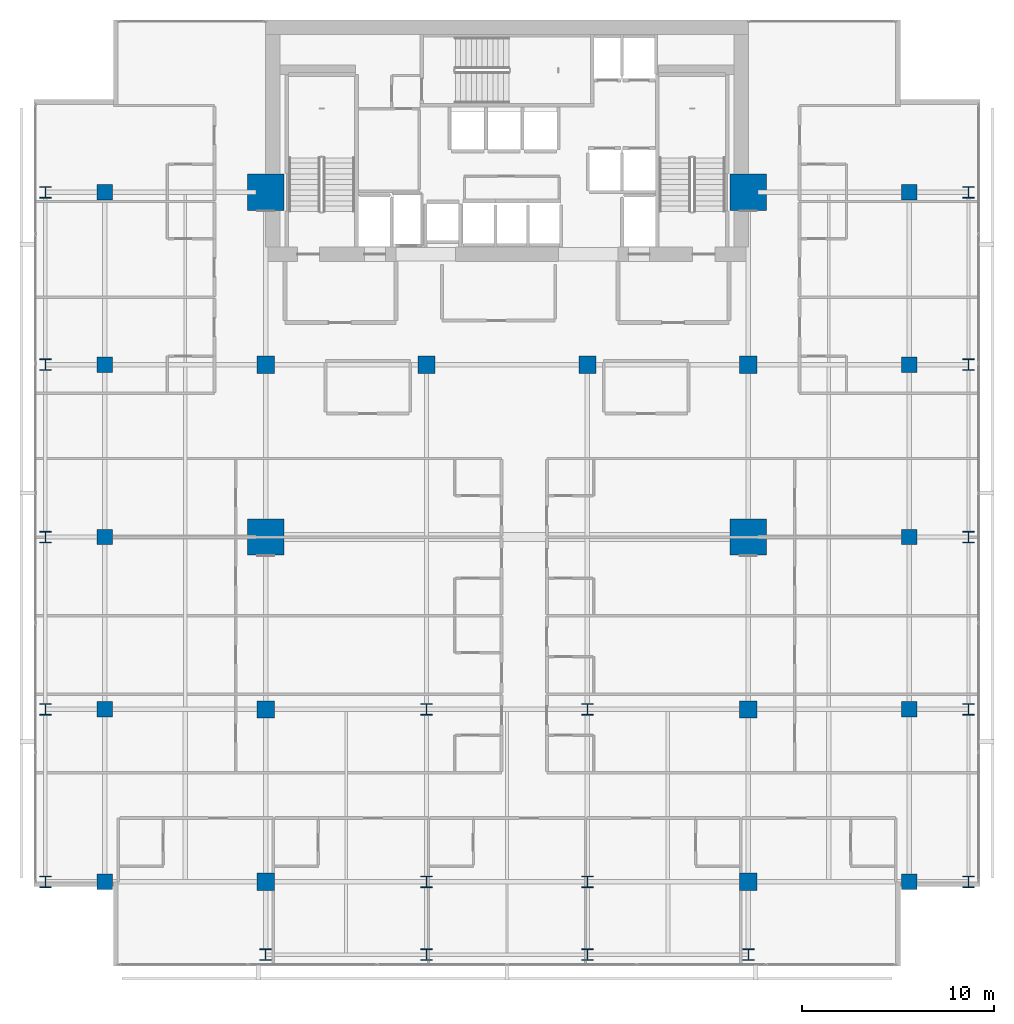
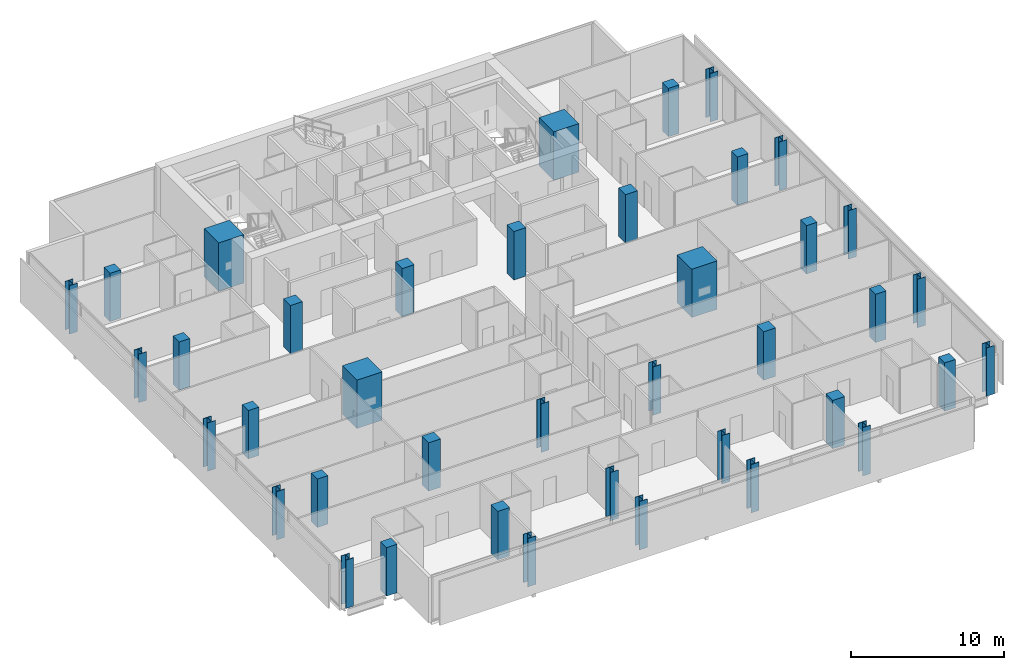
# One storey, part 1 of 34: 40 columns.
"""IFC4 building model written with IfcOpenShell, lengths in metres."""

import ifcopenshell
import ifcopenshell.guid

model = None  # the IFC model being written
_history = None  # IfcOwnerHistory: only IFC2X3 demands one
_inside = {}  # id of a spatial element -> (the spatial element, [elements in it])
_under = {}  # id of a project, library or spatial element -> (it, [spatial elements below it])
_declared = {}  # id of a project -> (the project, [libraries it declares])
_typed = {}  # id of a type object -> (the type object, [elements of that type])
_made_of = {}  # id of a material, layer set ... -> (it, [elements and type objects made of it])


def new_model(schema):
    """Start an empty IFC model of exactly this schema.

    Asked for "IFC4X3", IfcOpenShell would pick the latest addendum, in which some entities
    have other attributes; the version numbers below select the first issue.
    IFC2X3 requires an IfcOwnerHistory on every rooted entity: one is made here for all.
    """
    global model, _history
    if schema == "IFC4X3":
        model = ifcopenshell.file(schema_version=(4, 3, 0, 0))
    else:
        model = ifcopenshell.file(schema=schema)
    _inside.clear()
    _under.clear()
    _declared.clear()
    _typed.clear()
    _made_of.clear()
    _history = None
    if model.schema == "IFC2X3":
        org = make("IfcOrganization", Name="unknown")
        user = make(
            "IfcPersonAndOrganization",
            ThePerson=make("IfcPerson", FamilyName="unknown"),
            TheOrganization=org,
        )
        app = make(
            "IfcApplication",
            ApplicationDeveloper=org,
            Version="unknown",
            ApplicationFullName="unknown",
            ApplicationIdentifier="unknown",
        )
        _history = make(
            "IfcOwnerHistory",
            OwningUser=user,
            OwningApplication=app,
            ChangeAction="ADDED",
            CreationDate=0,
        )
    return model


def make(cls, **values):
    """One entity of the class cls with the attributes given. An attribute that is None is left unset."""
    return model.create_entity(
        cls, **{name: value for name, value in values.items() if value is not None}
    )


def rooted(cls, **values):
    """An entity with a GlobalId (a new one), such as an element, a storey or a relation."""
    return make(cls, GlobalId=ifcopenshell.guid.new(), OwnerHistory=_history, **values)


def si_unit(unit_type, name, prefix=None):
    """IfcSIUnit, for example si_unit("LENGTHUNIT", "METRE", prefix="MILLI")."""
    return make("IfcSIUnit", UnitType=unit_type, Prefix=prefix, Name=name)


def assignment(units):
    """IfcUnitAssignment: the units of a project."""
    return None if units is None else make("IfcUnitAssignment", Units=units)


def point(xyz):
    """IfcCartesianPoint."""
    return None if xyz is None else make("IfcCartesianPoint", Coordinates=xyz)


def direction(xyz):
    """IfcDirection."""
    return None if xyz is None else make("IfcDirection", DirectionRatios=xyz)


def frame(location, z_axis=None, x_axis=None):
    """IfcAxis2Placement3D, a coordinate frame: its origin and axes. An axis left out is left unset."""
    return make(
        "IfcAxis2Placement3D",
        Location=point(location),
        Axis=direction(z_axis),
        RefDirection=direction(x_axis),
    )


def frame_2d(location, x_axis=None):
    """IfcAxis2Placement2D, a coordinate frame in the plane: its origin and x axis."""
    return make(
        "IfcAxis2Placement2D", Location=point(location), RefDirection=direction(x_axis)
    )


def origin():
    """The frame at (0, 0, 0) with its axes left unset."""
    return frame((0.0, 0.0, 0.0))


def origin_2d():
    """The frame at (0, 0) in the plane with its x axis left unset."""
    return frame_2d((0.0, 0.0))


def place(relative_to, where):
    """IfcLocalPlacement: puts the frame where relative to a parent placement (None: the world)."""
    return make(
        "IfcLocalPlacement", PlacementRelTo=relative_to, RelativePlacement=where
    )


def context(
    kind, dimensions, precision=None, world=None, true_north=None, identifier=None
):
    """IfcGeometricRepresentationContext, for example the 3D "Model" context."""
    return make(
        "IfcGeometricRepresentationContext",
        ContextIdentifier=identifier,
        ContextType=kind,
        CoordinateSpaceDimension=dimensions,
        Precision=precision,
        WorldCoordinateSystem=world,
        TrueNorth=true_north,
    )


def subcontext(parent, identifier, kind, view, scale=None):
    """IfcGeometricRepresentationSubContext, for example "Body" below "Model"."""
    return make(
        "IfcGeometricRepresentationSubContext",
        ContextIdentifier=identifier,
        ContextType=kind,
        ParentContext=parent,
        TargetScale=scale,
        TargetView=view,
    )


def project(units=None, contexts=None):
    """IfcProject with its units and contexts."""
    return rooted(
        "IfcProject",
        Name="project",
        RepresentationContexts=contexts,
        UnitsInContext=assignment(units),
    )


def spatial(cls, under=None, at=None, **own):
    """A site, building, storey or space (cls), placed at a placement, below another one or the project."""
    s = rooted(cls, ObjectPlacement=at, **own)
    if under is not None:
        _under.setdefault(under.id(), (under, []))[1].append(s)
    return s


def profile(cls, at=None, kind="AREA", **sizes):
    """A parametric profile (cls). Its sizes go by their IFC names, for example OverallWidth=200.0."""
    return make(cls, ProfileType=kind, Position=at, **sizes)


def rectangle(**sizes):
    """IfcRectangleProfileDef."""
    return profile("IfcRectangleProfileDef", **sizes)


def i_section(**sizes):
    """IfcIShapeProfileDef."""
    return profile("IfcIShapeProfileDef", **sizes)


def extrude(swept, where, along, depth):
    """IfcExtrudedAreaSolid: the profile swept, set in the frame where, extruded along a direction by depth."""
    return make(
        "IfcExtrudedAreaSolid",
        SweptArea=swept,
        Position=where,
        ExtrudedDirection=direction(along),
        Depth=depth,
    )


def shape(context_of_items, identifier, shape_type, items):
    """IfcShapeRepresentation: the items that make up one representation, for example the "Body"."""
    return make(
        "IfcShapeRepresentation",
        ContextOfItems=context_of_items,
        RepresentationIdentifier=identifier,
        RepresentationType=shape_type,
        Items=items,
    )


def material(Name=None, Category=None):
    """IfcMaterial."""
    return make("IfcMaterial", Name=Name, Category=Category)


def material_profile(
    of_material, cross_section, Name=None, Category=None, Priority=None
):
    """IfcMaterialProfile: a cross section and its material."""
    return make(
        "IfcMaterialProfile",
        Name=Name,
        Material=of_material,
        Profile=cross_section,
        Priority=Priority,
        Category=Category,
    )


def profile_set(profiles, Name=None, composite=None):
    """IfcMaterialProfileSet."""
    return make(
        "IfcMaterialProfileSet",
        Name=Name,
        MaterialProfiles=profiles,
        CompositeProfile=composite,
    )


def made_of(thing, what):
    """Note that an element or type object is made of a material, layer set ...; save() writes the relation."""
    if what is not None:
        _made_of.setdefault(what.id(), (what, []))[1].append(thing)
    return thing


def type_object(cls, material=None, **own):
    """A type object (cls), such as IfcWallType, which elements share."""
    return made_of(rooted(cls, **own), material)


def element(
    cls,
    number,
    at=None,
    inside=None,
    cuts=None,
    type_object=None,
    material=None,
    context=None,
    identifier="Body",
    shape_type=None,
    held_by="IfcProductDefinitionShape",
    body=None,
    shapes=None,
    **own,
):
    """One element of the class cls, such as IfcWall. Its Tag is "e" and its number.

    at: its placement. inside: the storey or other place that contains it. cuts: it is an
    opening in that element (IfcRelVoidsElement). A single representation is given by context,
    identifier, shape_type and body (its items); several are given by shapes. held_by: the class
    of the entity that holds the representations. save() writes the other relations.
    """
    e = rooted(cls, Tag="e%d" % number, ObjectPlacement=at, **own)
    if body is not None:
        shapes = [shape(context, identifier, shape_type, body)]
    if shapes is not None:
        e.Representation = make(held_by, Representations=shapes)
    if inside is not None:
        _inside.setdefault(inside.id(), (inside, []))[1].append(e)
    if cuts is not None:
        rooted(
            "IfcRelVoidsElement", RelatingBuildingElement=cuts, RelatedOpeningElement=e
        )
    if type_object is not None:
        _typed.setdefault(type_object.id(), (type_object, []))[1].append(e)
    return made_of(e, material)


def aggregate(whole, parts):
    """IfcRelAggregates: a whole, such as a stair, and the parts it consists of."""
    return rooted("IfcRelAggregates", RelatingObject=whole, RelatedObjects=parts)


def save(model, path):
    """Write the relations noted so far, then the file.

    IfcRelAggregates (storeys below a building ...), IfcRelContainedInSpatialStructure (elements
    in a storey), IfcRelDefinesByType, IfcRelAssociatesMaterial and IfcRelDeclares: one each for
    every whole, place, type object, material and project.
    """
    for whole, parts in _under.values():
        aggregate(whole, parts)
    for where, things in _inside.values():
        rooted(
            "IfcRelContainedInSpatialStructure",
            RelatedElements=things,
            RelatingStructure=where,
        )
    for kind, things in _typed.values():
        rooted("IfcRelDefinesByType", RelatedObjects=things, RelatingType=kind)
    for what, things in _made_of.values():
        rooted("IfcRelAssociatesMaterial", RelatedObjects=things, RelatingMaterial=what)
    for by, libraries in _declared.values():
        rooted("IfcRelDeclares", RelatingContext=by, RelatedDefinitions=libraries)
    model.write(path)


model = new_model("IFC4")

# Units and contexts
model_context = context("Model", 3, precision=1e-05, world=origin(), true_north=direction((0.0, 1.0)))
body_context = subcontext(model_context, "Body", "Model", "MODEL_VIEW")
ifc_project = project(units=[si_unit("LENGTHUNIT", "METRE"), si_unit("AREAUNIT", "SQUARE_METRE"), si_unit("VOLUMEUNIT", "CUBIC_METRE"), si_unit("PLANEANGLEUNIT", "RADIAN"), si_unit("MASSUNIT", "GRAM", prefix="KILO")], contexts=[model_context])

# Site, building, storey
site_placement = place(None, origin())
site = spatial("IfcSite", under=ifc_project, at=site_placement, CompositionType="ELEMENT")
building_placement = place(site_placement, origin())
building = spatial("IfcBuilding", under=site, at=building_placement, Name="Maruvema Waterfront Hotel and Observation Tower", CompositionType="ELEMENT")
storey_placement = place(building_placement, frame((0.0, 0.0, 173.60009765625)))
storey = spatial("IfcBuildingStorey", under=building, at=storey_placement, Name="L42", CompositionType="ELEMENT", Elevation=173.60009765625)

# Columns
ifc_material_1 = material(Name="Concrete C80/95", Category="concrete")
ifc_material_profile_1 = material_profile(ifc_material_1, rectangle(XDim=1.89990234375, YDim=1.89990234375, at=origin_2d()), Name="MC1900x1900")
ifc_profile_set_1 = profile_set([ifc_material_profile_1], Name="Concrete C80/95")
column_type_1 = type_object("IfcColumnType", Name="Continuous Mega-Column MC1900x1900", PredefinedType="COLUMN", material=ifc_profile_set_1)
for number, where, z_axis, x_axis, name in (
    (1, (25.199951171875, 27.0, 0.0), (0.0, 0.0, 1.0), (1.0, 0.0, 0.0), "L42 Continuous Mega-Column MC-01"),
    (2, (50.39990234375, 27.0, 0.0), (0.0, 0.0, 1.0), (1.0, 0.0, 0.0), "L42 Continuous Mega-Column MC-02"),
    (3, (25.199951171875, 45.0, 0.0), (0.0, 0.0, 1.0), (1.0, 0.0, 0.0), "L42 Continuous Mega-Column MC-03"),
    (4, (50.39990234375, 45.0, 0.0), (0.0, 0.0, 1.0), (1.0, 0.0, 0.0), "L42 Continuous Mega-Column MC-04"),
):
    element("IfcColumn", number, at=place(storey_placement, frame(where, z_axis=z_axis, x_axis=x_axis)), inside=storey, type_object=column_type_1, Name=name, PredefinedType="COLUMN", context=body_context, shape_type="SweptSolid", body=[
        extrude(rectangle(XDim=1.89990234375, YDim=1.89990234375, at=origin_2d()), origin(), (0.0, 0.0, 1.0), 3.849853515625),
    ])
ifc_material_2 = material(Name="Concrete C60/75", Category="concrete")
ifc_material_profile_2 = material_profile(ifc_material_2, rectangle(XDim=0.800048828125, YDim=0.800048828125, at=origin_2d()), Name="RC800x800")
ifc_profile_set_2 = profile_set([ifc_material_profile_2], Name="Concrete C60/75")
column_type_2 = type_object("IfcColumnType", Name="Reinforced Concrete Column RC800x800", PredefinedType="COLUMN", material=ifc_profile_set_2)
for number, where, z_axis, x_axis, name in (
    (5, (16.800048828125, 9.0, 0.0), (0.0, 0.0, 1.0), (1.0, 0.0, 0.0), "L42 Column C-3Y9"),
    (6, (58.800048828125, 9.0, 0.0), (0.0, 0.0, 1.0), (1.0, 0.0, 0.0), "L42 Column C-8Y9"),
    (7, (16.800048828125, 18.0, 0.0), (0.0, 0.0, 1.0), (1.0, 0.0, 0.0), "L42 Column C-3Y18"),
    (8, (58.800048828125, 18.0, 0.0), (0.0, 0.0, 1.0), (1.0, 0.0, 0.0), "L42 Column C-8Y18"),
    (9, (16.800048828125, 27.0, 0.0), (0.0, 0.0, 1.0), (1.0, 0.0, 0.0), "L42 Column C-3Y27"),
    (10, (58.800048828125, 27.0, 0.0), (0.0, 0.0, 1.0), (1.0, 0.0, 0.0), "L42 Column C-8Y27"),
    (11, (16.800048828125, 36.0, 0.0), (0.0, 0.0, 1.0), (1.0, 0.0, 0.0), "L42 Column C-3Y36"),
    (12, (58.800048828125, 36.0, 0.0), (0.0, 0.0, 1.0), (1.0, 0.0, 0.0), "L42 Column C-8Y36"),
    (13, (16.800048828125, 45.0, 0.0), (0.0, 0.0, 1.0), (1.0, 0.0, 0.0), "L42 Column C-3Y45"),
    (14, (58.800048828125, 45.0, 0.0), (0.0, 0.0, 1.0), (1.0, 0.0, 0.0), "L42 Column C-8Y45"),
):
    element("IfcColumn", number, at=place(storey_placement, frame(where, z_axis=z_axis, x_axis=x_axis)), inside=storey, type_object=column_type_2, Name=name, PredefinedType="COLUMN", context=body_context, shape_type="SweptSolid", body=[
        extrude(rectangle(XDim=0.800048828125, YDim=0.800048828125, at=origin_2d()), origin(), (0.0, 0.0, 1.0), 3.849853515625),
    ])
ifc_material_3 = material(Name="Concrete C60/75", Category="concrete")
ifc_material_profile_3 = material_profile(ifc_material_3, rectangle(XDim=0.89990234375, YDim=0.89990234375, at=origin_2d()), Name="RC900x900")
ifc_profile_set_3 = profile_set([ifc_material_profile_3], Name="Concrete C60/75")
column_type_3 = type_object("IfcColumnType", Name="Reinforced Concrete Column RC900x900", PredefinedType="COLUMN", material=ifc_profile_set_3)
for number, where, z_axis, x_axis, name in (
    (15, (25.199951171875, 36.0, 0.0), (0.0, 0.0, 1.0), (1.0, 0.0, 0.0), "L42 Column C-4E"),
    (16, (33.60009765625, 36.0, 0.0), (0.0, 0.0, 1.0), (1.0, 0.0, 0.0), "L42 Column C-5E"),
    (17, (42.0, 36.0, 0.0), (0.0, 0.0, 1.0), (1.0, 0.0, 0.0), "L42 Column C-6E"),
    (18, (50.39990234375, 36.0, 0.0), (0.0, 0.0, 1.0), (1.0, 0.0, 0.0), "L42 Column C-7E"),
    (19, (25.199951171875, 18.0, 0.0), (0.0, 0.0, 1.0), (1.0, 0.0, 0.0), "L42 Column C-4C"),
    (20, (50.39990234375, 18.0, 0.0), (0.0, 0.0, 1.0), (1.0, 0.0, 0.0), "L42 Column C-7C"),
    (21, (25.199951171875, 9.0, 0.0), (0.0, 0.0, 1.0), (1.0, 0.0, 0.0), "L42 Column C-4B"),
    (22, (50.39990234375, 9.0, 0.0), (0.0, 0.0, 1.0), (1.0, 0.0, 0.0), "L42 Column C-7B"),
):
    element("IfcColumn", number, at=place(storey_placement, frame(where, z_axis=z_axis, x_axis=x_axis)), inside=storey, type_object=column_type_3, Name=name, PredefinedType="COLUMN", context=body_context, shape_type="SweptSolid", body=[
        extrude(rectangle(XDim=0.89990234375, YDim=0.89990234375, at=origin_2d()), origin(), (0.0, 0.0, 1.0), 3.849853515625),
    ])
ifc_material_4 = material(Name="Steel ABNT NBR 7007 AR 415 (ASTM A572 Grade 50)", Category="steel")
ifc_material_profile_4 = material_profile(ifc_material_4, i_section(OverallWidth=0.60009765625, OverallDepth=0.60009765625, WebThickness=0.02490234375, FlangeThickness=0.0380859375, at=origin_2d()), Name="CVS600x317")
ifc_profile_set_4 = profile_set([ifc_material_profile_4], Name="Steel ABNT NBR 7007 AR 415 (ASTM A572 Grade 50)")
column_type_4 = type_object("IfcColumnType", Name="Structural Steel Column CVS600x317", PredefinedType="COLUMN", material=ifc_profile_set_4)
for number, where, z_axis, x_axis, name in (
    (23, (33.60009765625, 9.0, 0.0), (0.0, 0.0, 1.0), (1.0, 0.0, 0.0), "L42 Column C-5B"),
    (24, (42.0, 9.0, 0.0), (0.0, 0.0, 1.0), (1.0, 0.0, 0.0), "L42 Column C-6B"),
    (25, (33.60009765625, 18.0, 0.0), (0.0, 0.0, 1.0), (1.0, 0.0, 0.0), "L42 Column C-5C"),
    (26, (42.0, 18.0, 0.0), (0.0, 0.0, 1.0), (1.0, 0.0, 0.0), "L42 Column C-6C"),
    (27, (13.699951171875, 9.0, 0.0), (0.0, 0.0, 1.0), (1.0, 0.0, 0.0), "L42 Column C-Z2W9"),
    (28, (61.89990234375, 9.0, 0.0), (0.0, 0.0, 1.0), (1.0, 0.0, 0.0), "L42 Column C-Z2E9"),
    (29, (13.699951171875, 18.0, 0.0), (0.0, 0.0, 1.0), (1.0, 0.0, 0.0), "L42 Column C-Z2W18"),
    (30, (61.89990234375, 18.0, 0.0), (0.0, 0.0, 1.0), (1.0, 0.0, 0.0), "L42 Column C-Z2E18"),
    (31, (13.699951171875, 27.0, 0.0), (0.0, 0.0, 1.0), (1.0, 0.0, 0.0), "L42 Column C-Z2W27"),
    (32, (61.89990234375, 27.0, 0.0), (0.0, 0.0, 1.0), (1.0, 0.0, 0.0), "L42 Column C-Z2E27"),
    (33, (13.699951171875, 36.0, 0.0), (0.0, 0.0, 1.0), (1.0, 0.0, 0.0), "L42 Column C-Z2W36"),
    (34, (61.89990234375, 36.0, 0.0), (0.0, 0.0, 1.0), (1.0, 0.0, 0.0), "L42 Column C-Z2E36"),
    (35, (13.699951171875, 45.0, 0.0), (0.0, 0.0, 1.0), (1.0, 0.0, 0.0), "L42 Column C-Z2W45"),
    (36, (61.89990234375, 45.0, 0.0), (0.0, 0.0, 1.0), (1.0, 0.0, 0.0), "L42 Column C-Z2E45"),
    (37, (25.199951171875, 5.199951171875, 0.0), (0.0, 0.0, 1.0), (1.0, 0.0, 0.0), "L42 Column C-Z2S4"),
    (38, (33.60009765625, 5.199951171875, 0.0), (0.0, 0.0, 1.0), (1.0, 0.0, 0.0), "L42 Column C-Z2S5"),
    (39, (42.0, 5.199951171875, 0.0), (0.0, 0.0, 1.0), (1.0, 0.0, 0.0), "L42 Column C-Z2S6"),
    (40, (50.39990234375, 5.199951171875, 0.0), (0.0, 0.0, 1.0), (1.0, 0.0, 0.0), "L42 Column C-Z2S7"),
):
    element("IfcColumn", number, at=place(storey_placement, frame(where, z_axis=z_axis, x_axis=x_axis)), inside=storey, type_object=column_type_4, Name=name, PredefinedType="COLUMN", context=body_context, shape_type="SweptSolid", body=[
        extrude(i_section(OverallWidth=0.60009765625, OverallDepth=0.60009765625, WebThickness=0.02490234375, FlangeThickness=0.0380859375, at=origin_2d()), origin(), (0.0, 0.0, 1.0), 3.849853515625),
    ])

save(model, "model.ifc")
